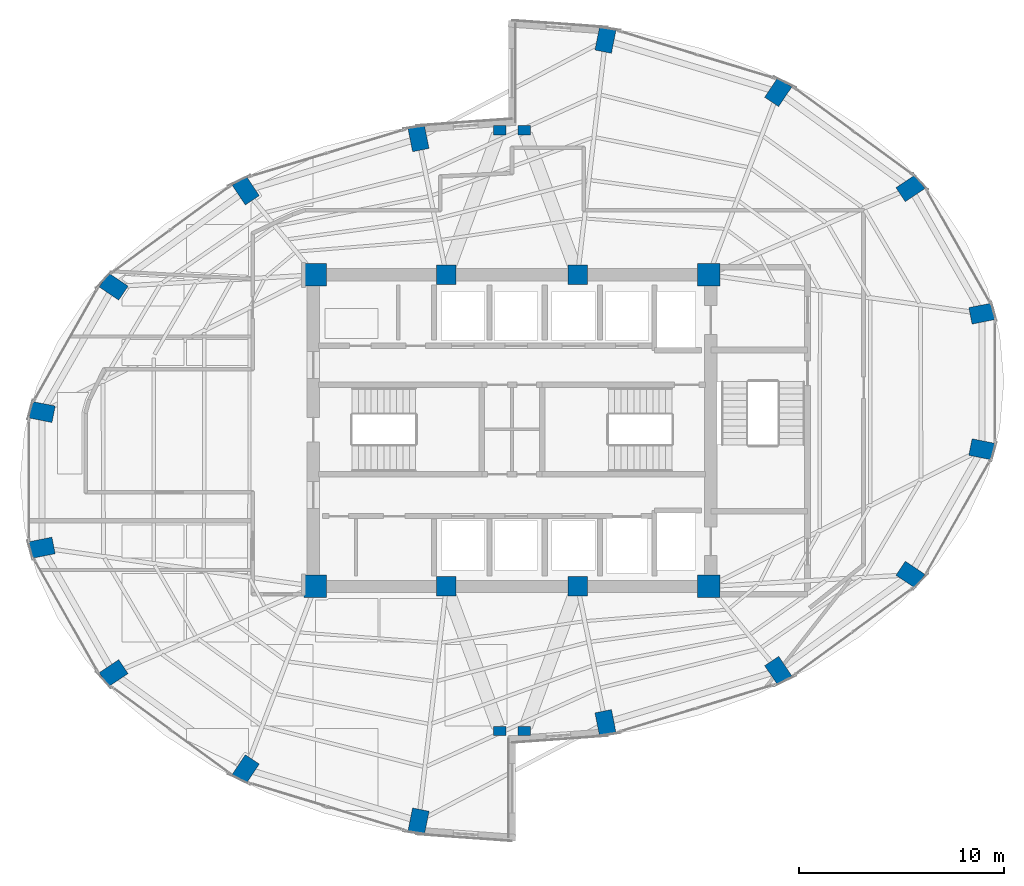
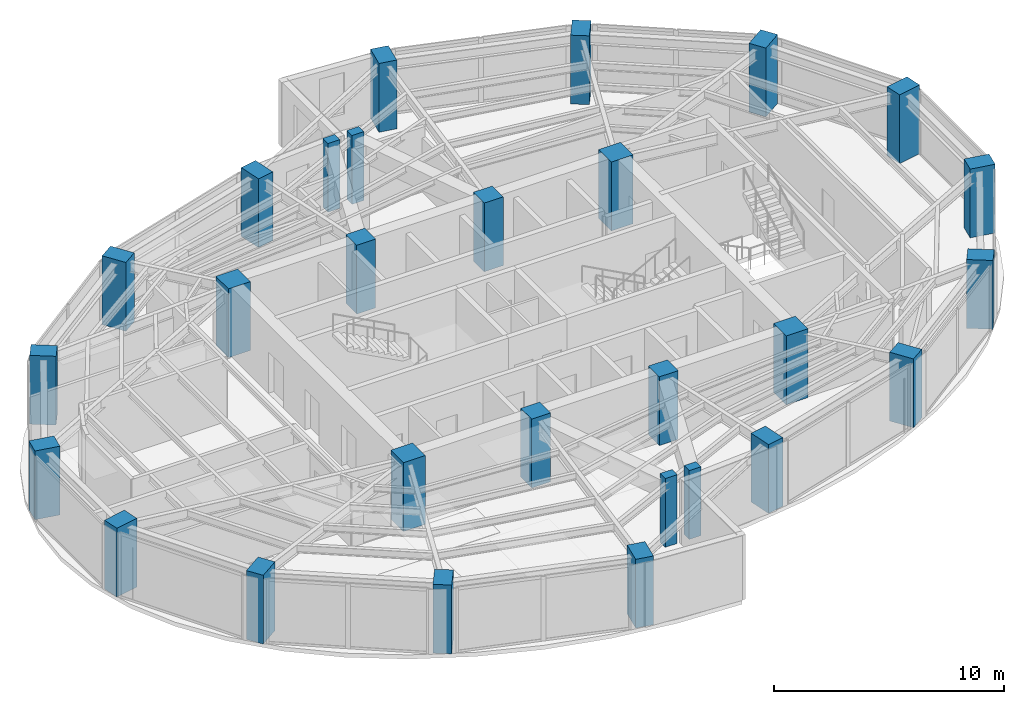
# One storey, part 1 of 20: 28 columns.
"""IFC4 building model written with IfcOpenShell, lengths in metres."""

from ifc_helpers import new_model, si_unit, direction, frame, origin, origin_2d, place, context, subcontext, project, spatial, rectangle, extrude, material, material_profile, profile_set, type_object, element, save


model = new_model("IFC4")

# Units and contexts
model_context = context("Model", 3, precision=1e-05, world=origin(), true_north=direction((0.0, 1.0)))
body_context = subcontext(model_context, "Body", "Model", "MODEL_VIEW")
ifc_project = project(units=[si_unit("LENGTHUNIT", "METRE"), si_unit("AREAUNIT", "SQUARE_METRE"), si_unit("VOLUMEUNIT", "CUBIC_METRE"), si_unit("PLANEANGLEUNIT", "RADIAN"), si_unit("MASSUNIT", "GRAM", prefix="KILO")], contexts=[model_context])

# Site, building, storey
site_placement = place(None, origin())
site = spatial("IfcSite", under=ifc_project, at=site_placement, CompositionType="ELEMENT")
building_placement = place(site_placement, origin())
building = spatial("IfcBuilding", under=site, at=building_placement, Name="Lazwardi Medical Tower", CompositionType="ELEMENT")
storey_placement = place(building_placement, frame((0.0, 0.0, 182.06396484375)))
storey = spatial("IfcBuildingStorey", under=building, at=storey_placement, Name="L47", CompositionType="ELEMENT", Elevation=182.06396484375)

# Columns
ifc_material_1 = material(Name="Concrete C80/95", Category="concrete")
ifc_material_profile_1 = material_profile(ifc_material_1, rectangle(XDim=1.10009765625, YDim=1.10009765625, at=origin_2d()), Name="RC 1100x1100")
ifc_profile_set_1 = profile_set([ifc_material_profile_1], Name="Concrete C80/95")
column_type_1 = type_object("IfcColumnType", Name="COL-CC-L", PredefinedType="COLUMN", material=ifc_profile_set_1)
for number, where, z_axis, x_axis, name in (
    (1, (26.39990234375, 20.39990234375, 0.0), (0.0, 0.0, 1.0), (1.0, 0.0, 0.0), "Core column CC-01 CC1 L47"),
    (2, (45.60009765625, 20.39990234375, 0.0), (0.0, 0.0, 1.0), (1.0, 0.0, 0.0), "Core column CC-01 CC4 L47"),
    (3, (45.60009765625, 35.60009765625, 0.0), (0.0, 0.0, 1.0), (1.0, 0.0, 0.0), "Core column CC-01 CC5 L47"),
    (4, (26.39990234375, 35.60009765625, 0.0), (0.0, 0.0, 1.0), (1.0, 0.0, 0.0), "Core column CC-01 CC8 L47"),
):
    element("IfcColumn", number, at=place(storey_placement, frame(where, z_axis=z_axis, x_axis=x_axis)), inside=storey, type_object=column_type_1, Name=name, PredefinedType="COLUMN", context=body_context, shape_type="SweptSolid", body=[
        extrude(rectangle(XDim=1.10009765625, YDim=1.10009765625, at=origin_2d()), origin(), (0.0, 0.0, 1.0), 3.64794921875),
    ])
ifc_material_2 = material(Name="Concrete C70/85", Category="concrete")
ifc_material_profile_2 = material_profile(ifc_material_2, rectangle(XDim=0.949951171875, YDim=0.949951171875, at=origin_2d()), Name="RC 950x950")
ifc_profile_set_2 = profile_set([ifc_material_profile_2], Name="Concrete C70/85")
column_type_2 = type_object("IfcColumnType", Name="COL-CC-M", PredefinedType="COLUMN", material=ifc_profile_set_2)
for number, where, z_axis, x_axis, name in (
    (5, (32.800048828125, 20.39990234375, 0.0), (0.0, 0.0, 1.0), (1.0, 0.0, 0.0), "Core column CC-02 CC2 L47"),
    (6, (39.199951171875, 20.39990234375, 0.0), (0.0, 0.0, 1.0), (1.0, 0.0, 0.0), "Core column CC-02 CC3 L47"),
    (7, (39.199951171875, 35.60009765625, 0.0), (0.0, 0.0, 1.0), (1.0, 0.0, 0.0), "Core column CC-02 CC6 L47"),
    (8, (32.800048828125, 35.60009765625, 0.0), (0.0, 0.0, 1.0), (1.0, 0.0, 0.0), "Core column CC-02 CC7 L47"),
):
    element("IfcColumn", number, at=place(storey_placement, frame(where, z_axis=z_axis, x_axis=x_axis)), inside=storey, type_object=column_type_2, Name=name, PredefinedType="COLUMN", context=body_context, shape_type="SweptSolid", body=[
        extrude(rectangle(XDim=0.949951171875, YDim=0.949951171875, at=origin_2d()), origin(), (0.0, 0.0, 1.0), 3.64794921875),
    ])
ifc_material_3 = material(Name="Concrete C60/75", Category="concrete")
ifc_material_profile_3 = material_profile(ifc_material_3, rectangle(XDim=1.14990234375, YDim=0.820068359375, at=origin_2d()), Name="CFT-RECT 1150x820")
ifc_profile_set_3 = profile_set([ifc_material_profile_3], Name="Concrete C60/75")
column_type_3 = type_object("IfcColumnType", Name="COL-MC-Z3", PredefinedType="COLUMN", material=ifc_profile_set_3)
for number, where, z_axis, x_axis, name in (
    (9, (40.560302734375, 13.751220703125, 0.0), (0.0, 0.0, 1.0), (0.195090322016, -0.980785280403, 0.0), "Mega column MC-05 M01 L47"),
    (10, (48.986572265625, 16.285888671875, 0.0), (0.0, 0.0, 1.0), (0.55557023302, -0.831469612303, 0.0), "Mega column MC-05 M02 L47"),
    (11, (55.435546875, 20.96923828125, 0.0), (0.0, 0.0, 1.0), (0.831469612303, -0.55557023302, 0.0), "Mega column MC-05 M03 L47"),
    (12, (58.92578125, 27.08837890625, 0.0), (0.0, 0.0, 1.0), (0.980785280403, -0.195090322016, 0.0), "Mega column MC-05 M04 L47"),
    (13, (58.92578125, 33.711669921875, 0.0), (0.0, 0.0, 1.0), (0.980785280403, 0.195090322016, 0.0), "Mega column MC-05 M05 L47"),
    (14, (55.435546875, 39.830810546875, 0.0), (0.0, 0.0, 1.0), (0.831469612303, 0.55557023302, 0.0), "Mega column MC-05 M06 L47"),
    (15, (48.986572265625, 44.51416015625, 0.0), (0.0, 0.0, 1.0), (0.55557023302, 0.831469612303, 0.0), "Mega column MC-05 M07 L47"),
    (16, (40.560302734375, 47.048828125, 0.0), (0.0, 0.0, 1.0), (0.195090322016, 0.980785280403, 0.0), "Mega column MC-05 M08 L47"),
    (17, (31.439697265625, 42.248779296875, 0.0), (0.0, 0.0, 1.0), (-0.195090322016, 0.980785280403, 0.0), "Mega column MC-05 M09 L47"),
    (18, (23.013427734375, 39.714111328125, 0.0), (0.0, 0.0, 1.0), (-0.55557023302, 0.831469612303, 0.0), "Mega column MC-05 M10 L47"),
    (19, (16.564453125, 35.03076171875, 0.0), (0.0, 0.0, 1.0), (-0.831469612303, 0.55557023302, 0.0), "Mega column MC-05 M11 L47"),
    (20, (13.07421875, 28.91162109375, 0.0), (0.0, 0.0, 1.0), (-0.980785280403, 0.195090322016, 0.0), "Mega column MC-05 M12 L47"),
    (21, (13.07421875, 22.288330078125, 0.0), (0.0, 0.0, 1.0), (-0.980785280403, -0.195090322016, 0.0), "Mega column MC-05 M13 L47"),
    (22, (16.564453125, 16.169189453125, 0.0), (0.0, 0.0, 1.0), (-0.831469612303, -0.55557023302, 0.0), "Mega column MC-05 M14 L47"),
    (23, (23.013427734375, 11.48583984375, 0.0), (0.0, 0.0, 1.0), (-0.55557023302, -0.831469612303, 0.0), "Mega column MC-05 M15 L47"),
    (24, (31.439697265625, 8.951171875, 0.0), (0.0, 0.0, 1.0), (-0.195090322016, -0.980785280403, 0.0), "Mega column MC-05 M16 L47"),
):
    element("IfcColumn", number, at=place(storey_placement, frame(where, z_axis=z_axis, x_axis=x_axis)), inside=storey, type_object=column_type_3, Name=name, PredefinedType="COLUMN", context=body_context, shape_type="SweptSolid", body=[
        extrude(rectangle(XDim=1.14990234375, YDim=0.820068359375, at=origin_2d()), origin(), (0.0, 0.0, 1.0), 3.64794921875),
    ])
ifc_material_profile_4 = material_profile(ifc_material_3, rectangle(XDim=0.60009765625, YDim=0.449951171875, at=origin_2d()), Name="RC 600x450")
ifc_profile_set_4 = profile_set([ifc_material_profile_4], Name="Concrete C60/75")
column_type_4 = type_object("IfcColumnType", Name="COL-PL-IW", PredefinedType="PILASTER", material=ifc_profile_set_4)
for number, where, z_axis, x_axis, name in (
    (25, (35.39990234375, 42.64990234375, 0.0), (0.0, 0.0, 1.0), (1.0, 0.0, 0.0), "Iwan pilaster column PL-C1 PL1 L47"),
    (26, (36.60009765625, 42.64990234375, 0.0), (0.0, 0.0, 1.0), (1.0, 0.0, 0.0), "Iwan pilaster column PL-C1 PL2 L47"),
    (27, (35.39990234375, 13.35009765625, 0.0), (0.0, 0.0, 1.0), (1.0, 0.0, 0.0), "Iwan pilaster column PL-C1 PL3 L47"),
    (28, (36.60009765625, 13.35009765625, 0.0), (0.0, 0.0, 1.0), (1.0, 0.0, 0.0), "Iwan pilaster column PL-C1 PL4 L47"),
):
    element("IfcColumn", number, at=place(storey_placement, frame(where, z_axis=z_axis, x_axis=x_axis)), inside=storey, type_object=column_type_4, Name=name, PredefinedType="PILASTER", context=body_context, shape_type="SweptSolid", body=[
        extrude(rectangle(XDim=0.60009765625, YDim=0.449951171875, at=origin_2d()), origin(), (0.0, 0.0, 1.0), 3.64794921875),
    ])

save(model, "model.ifc")
